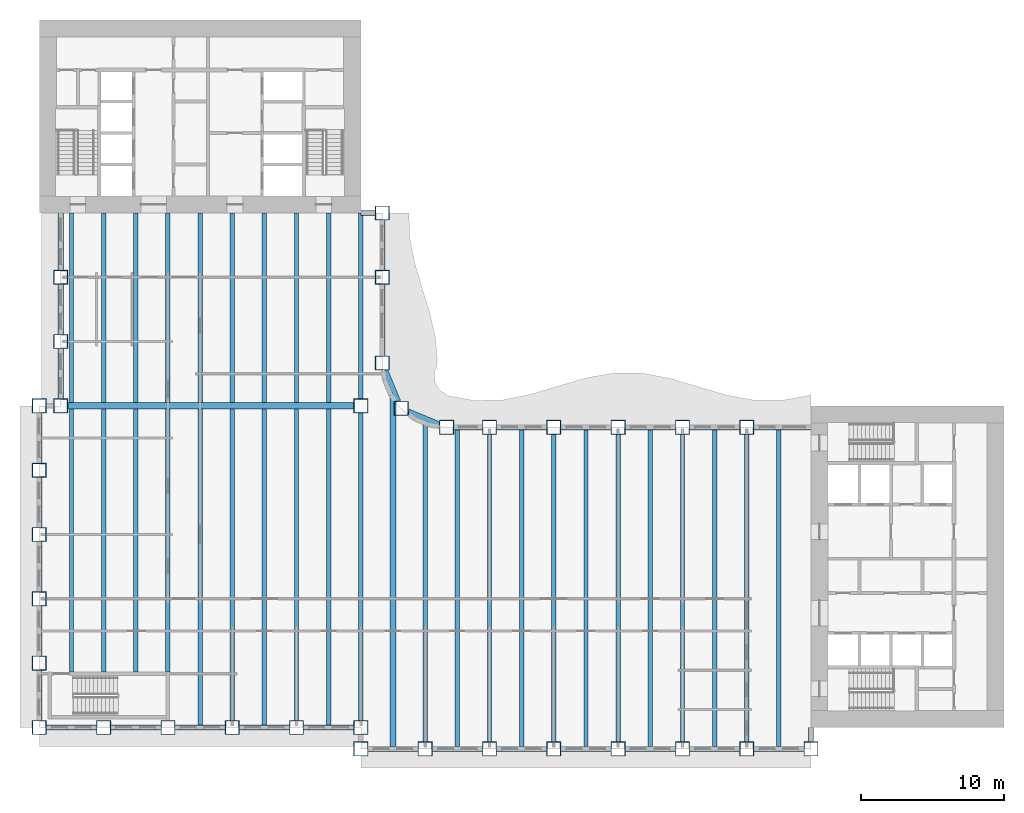
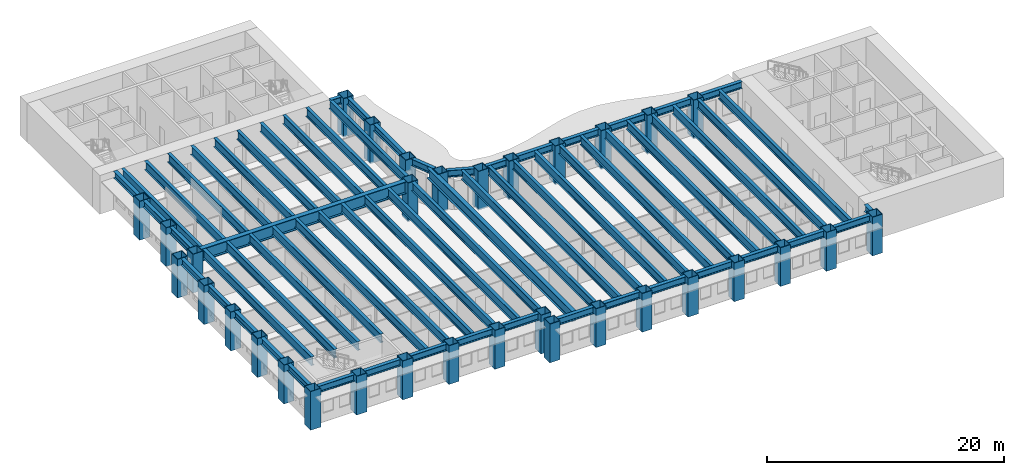
# One storey, part 1 of 16: 66 beams, 33 columns.
"""IFC4 building model written with IfcOpenShell, lengths in metres."""

from ifc_helpers import new_model, si_unit, direction, frame, origin, origin_2d, place, context, subcontext, project, spatial, hollow_rectangle, i_section, extrude, material, material_profile, profile_set, type_object, element, save


model = new_model("IFC4")

# Units and contexts
model_context = context("Model", 3, precision=1e-05, world=origin(), true_north=direction((0.0, 1.0)))
body_context = subcontext(model_context, "Body", "Model", "MODEL_VIEW")
ifc_project = project(units=[si_unit("LENGTHUNIT", "METRE"), si_unit("AREAUNIT", "SQUARE_METRE"), si_unit("VOLUMEUNIT", "CUBIC_METRE"), si_unit("PLANEANGLEUNIT", "RADIAN"), si_unit("MASSUNIT", "GRAM", prefix="KILO")], contexts=[model_context])

# Site, building, storey
site_placement = place(None, origin())
site = spatial("IfcSite", under=ifc_project, at=site_placement, CompositionType="ELEMENT")
building_placement = place(site_placement, origin())
building = spatial("IfcBuilding", under=site, at=building_placement, Name="Sennacour Bend Tower", CompositionType="ELEMENT")
storey_placement = place(building_placement, frame((0.0, 0.0, 103.0)))
storey = spatial("IfcBuildingStorey", under=building, at=storey_placement, Name="L23", CompositionType="ELEMENT", Elevation=103.0)

# Columns
ifc_material_1 = material(Name="Steel ASTM A572 Grade 50", Category="steel")
ifc_material_profile_1 = material_profile(ifc_material_1, hollow_rectangle(XDim=1.0, YDim=1.0, WallThickness=0.050048828125, at=origin_2d()), Name="Steel ASTM A572 Grade 50", Category="steel")
ifc_profile_set_1 = profile_set([ifc_material_profile_1], Name="Steel ASTM A572 Grade 50")
column_type = type_object("IfcColumnType", Name="Box column 1000", PredefinedType="COLUMN", material=ifc_profile_set_1)
for number, where, z_axis, x_axis, name in (
    (1, (0.0, 0.0, -0.14990234375), (0.0, 0.0, 1.0), (1.0, 0.0, 0.0), "Perimeter column C2 L23-001"),
    (2, (0.0, 4.5, -0.14990234375), (0.0, 0.0, 1.0), (1.0, 0.0, 0.0), "Perimeter column C2 L23-002"),
    (3, (0.0, 9.0, -0.14990234375), (0.0, 0.0, 1.0), (1.0, 0.0, 0.0), "Perimeter column C2 L23-003"),
    (4, (0.0, 13.5, -0.14990234375), (0.0, 0.0, 1.0), (1.0, 0.0, 0.0), "Perimeter column C2 L23-004"),
    (5, (0.0, 18.0, -0.14990234375), (0.0, 0.0, 1.0), (1.0, 0.0, 0.0), "Perimeter column C2 L23-005"),
    (6, (0.0, 22.5, -0.14990234375), (0.0, 0.0, 1.0), (1.0, 0.0, 0.0), "Perimeter column C2 L23-006"),
    (7, (1.5, 22.5, -0.14990234375), (0.0, 0.0, 1.0), (1.0, 0.0, 0.0), "Perimeter column C2 L23-007"),
    (8, (1.5, 27.0, -0.14990234375), (0.0, 0.0, 1.0), (1.0, 0.0, 0.0), "Perimeter column C2 L23-008"),
    (9, (1.5, 31.5, -0.14990234375), (0.0, 0.0, 1.0), (1.0, 0.0, 0.0), "Perimeter column C2 L23-009"),
    (10, (4.5, 0.0, -0.14990234375), (0.0, 0.0, 1.0), (1.0, 0.0, 0.0), "Perimeter column C2 L23-010"),
    (11, (9.0, 0.0, -0.14990234375), (0.0, 0.0, 1.0), (1.0, 0.0, 0.0), "Perimeter column C2 L23-011"),
    (12, (13.5, 0.0, -0.14990234375), (0.0, 0.0, 1.0), (1.0, 0.0, 0.0), "Perimeter column C2 L23-012"),
    (13, (18.0, 0.0, -0.14990234375), (0.0, 0.0, 1.0), (1.0, 0.0, 0.0), "Perimeter column C2 L23-013"),
    (14, (22.5, -1.5, -0.14990234375), (0.0, 0.0, 1.0), (1.0, 0.0, 0.0), "Perimeter column C2 L23-014"),
    (15, (22.5, 0.0, -0.14990234375), (0.0, 0.0, 1.0), (1.0, 0.0, 0.0), "Perimeter column C2 L23-015"),
    (16, (22.5, 22.5, -0.14990234375), (0.0, 0.0, 1.0), (1.0, 0.0, 0.0), "Knuckle column C2 L23-016"),
    (17, (24.0, 25.5, -0.14990234375), (0.0, 0.0, 1.0), (1.0, 0.0, 0.0), "Perimeter column C2 L23-017"),
    (18, (24.0, 31.5, -0.14990234375), (0.0, 0.0, 1.0), (1.0, 0.0, 0.0), "Perimeter column C2 L23-018"),
    (19, (24.0, 36.0, -0.14990234375), (0.0, 0.0, 1.0), (1.0, 0.0, 0.0), "Perimeter column C2 L23-019"),
    (20, (25.318115234375, 22.318115234375, -0.14990234375), (0.0, 0.0, 1.0), (1.0, 0.0, 0.0), "Perimeter column C2 L23-020"),
    (21, (27.0, -1.5, -0.14990234375), (0.0, 0.0, 1.0), (1.0, 0.0, 0.0), "Perimeter column C2 L23-021"),
    (22, (28.5, 21.0, -0.14990234375), (0.0, 0.0, 1.0), (1.0, 0.0, 0.0), "Perimeter column C2 L23-022"),
    (23, (31.5, -1.5, -0.14990234375), (0.0, 0.0, 1.0), (1.0, 0.0, 0.0), "Perimeter column C2 L23-023"),
    (24, (31.5, 21.0, -0.14990234375), (0.0, 0.0, 1.0), (1.0, 0.0, 0.0), "Perimeter column C2 L23-024"),
    (25, (36.0, -1.5, -0.14990234375), (0.0, 0.0, 1.0), (1.0, 0.0, 0.0), "Perimeter column C2 L23-025"),
    (26, (36.0, 21.0, -0.14990234375), (0.0, 0.0, 1.0), (1.0, 0.0, 0.0), "Perimeter column C2 L23-026"),
    (27, (40.5, -1.5, -0.14990234375), (0.0, 0.0, 1.0), (1.0, 0.0, 0.0), "Perimeter column C2 L23-027"),
    (28, (40.5, 21.0, -0.14990234375), (0.0, 0.0, 1.0), (1.0, 0.0, 0.0), "Perimeter column C2 L23-028"),
    (29, (45.0, -1.5, -0.14990234375), (0.0, 0.0, 1.0), (1.0, 0.0, 0.0), "Perimeter column C2 L23-029"),
    (30, (45.0, 21.0, -0.14990234375), (0.0, 0.0, 1.0), (1.0, 0.0, 0.0), "Perimeter column C2 L23-030"),
    (31, (49.5, -1.5, -0.14990234375), (0.0, 0.0, 1.0), (1.0, 0.0, 0.0), "Perimeter column C2 L23-031"),
    (32, (49.5, 21.0, -0.14990234375), (0.0, 0.0, 1.0), (1.0, 0.0, 0.0), "Perimeter column C2 L23-032"),
    (33, (54.0, -1.5, -0.14990234375), (0.0, 0.0, 1.0), (1.0, 0.0, 0.0), "Perimeter column C2 L23-033"),
):
    element("IfcColumn", number, at=place(storey_placement, frame(where, z_axis=z_axis, x_axis=x_axis)), inside=storey, type_object=column_type, Name=name, PredefinedType="COLUMN", context=body_context, shape_type="SweptSolid", body=[
        extrude(hollow_rectangle(XDim=1.0, YDim=1.0, WallThickness=0.050048828125, at=origin_2d()), origin(), (0.0, 0.0, 1.0), 4.0),
    ])

# Beams
ifc_material_2 = material(Name="Steel ASTM A992 Grade 50", Category="steel")
ifc_material_profile_2 = material_profile(ifc_material_2, i_section(OverallWidth=0.304931640625, OverallDepth=0.912109375, WebThickness=0.015869140625, FlangeThickness=0.02392578125, FilletRadius=0.01904296875, at=origin_2d()), Name="Steel ASTM A992 Grade 50", Category="steel")
ifc_profile_set_2 = profile_set([ifc_material_profile_2], Name="Steel ASTM A992 Grade 50")
beam_type_1 = type_object("IfcBeamType", Name="Floor beam W920X223", PredefinedType="BEAM", material=ifc_profile_set_2)
beam_1_placement = place(storey_placement, frame((2.25, 3.875, 3.39404296875), z_axis=(0.0, 1.0, 0.0), x_axis=(-1.0, 0.0, 0.0)))
element("IfcBeam", 34, at=beam_1_placement, inside=storey, type_object=beam_type_1, Name="Floor beam FBM1 L24-001", PredefinedType="BEAM", context=body_context, shape_type="SweptSolid", body=[
    extrude(i_section(OverallWidth=0.304931640625, OverallDepth=0.912109375, WebThickness=0.015869140625, FlangeThickness=0.02392578125, FilletRadius=0.01904296875, at=origin_2d()), origin(), (0.0, 0.0, 1.0), 18.39990234375),
])
beam_2_placement = place(storey_placement, frame((2.25, 22.72509765625, 3.39404296875), z_axis=(0.0, 1.0, 0.0), x_axis=(-1.0, 0.0, 0.0)))
element("IfcBeam", 35, at=beam_2_placement, inside=storey, type_object=beam_type_1, Name="Floor beam FBM1 L24-002", PredefinedType="BEAM", context=body_context, shape_type="SweptSolid", body=[
    extrude(i_section(OverallWidth=0.304931640625, OverallDepth=0.912109375, WebThickness=0.015869140625, FlangeThickness=0.02392578125, FilletRadius=0.01904296875, at=origin_2d()), origin(), (0.0, 0.0, 1.0), 13.27490234375),
])
beam_3_placement = place(storey_placement, frame((4.5, 3.875, 3.39404296875), z_axis=(0.0, 1.0, 0.0), x_axis=(-1.0, 0.0, 0.0)))
element("IfcBeam", 36, at=beam_3_placement, inside=storey, type_object=beam_type_1, Name="Floor beam FBM1 L24-003", PredefinedType="BEAM", context=body_context, shape_type="SweptSolid", body=[
    extrude(i_section(OverallWidth=0.304931640625, OverallDepth=0.912109375, WebThickness=0.015869140625, FlangeThickness=0.02392578125, FilletRadius=0.01904296875, at=origin_2d()), origin(), (0.0, 0.0, 1.0), 18.39990234375),
])
beam_4_placement = place(storey_placement, frame((4.5, 22.72509765625, 3.39404296875), z_axis=(0.0, 1.0, 0.0), x_axis=(-1.0, 0.0, 0.0)))
element("IfcBeam", 37, at=beam_4_placement, inside=storey, type_object=beam_type_1, Name="Floor beam FBM1 L24-004", PredefinedType="BEAM", context=body_context, shape_type="SweptSolid", body=[
    extrude(i_section(OverallWidth=0.304931640625, OverallDepth=0.912109375, WebThickness=0.015869140625, FlangeThickness=0.02392578125, FilletRadius=0.01904296875, at=origin_2d()), origin(), (0.0, 0.0, 1.0), 13.27490234375),
])
beam_5_placement = place(storey_placement, frame((6.75, 3.875, 3.39404296875), z_axis=(0.0, 1.0, 0.0), x_axis=(-1.0, 0.0, 0.0)))
element("IfcBeam", 38, at=beam_5_placement, inside=storey, type_object=beam_type_1, Name="Floor beam FBM1 L24-005", PredefinedType="BEAM", context=body_context, shape_type="SweptSolid", body=[
    extrude(i_section(OverallWidth=0.304931640625, OverallDepth=0.912109375, WebThickness=0.015869140625, FlangeThickness=0.02392578125, FilletRadius=0.01904296875, at=origin_2d()), origin(), (0.0, 0.0, 1.0), 18.39990234375),
])
beam_6_placement = place(storey_placement, frame((6.75, 22.72509765625, 3.39404296875), z_axis=(0.0, 1.0, 0.0), x_axis=(-1.0, 0.0, 0.0)))
element("IfcBeam", 39, at=beam_6_placement, inside=storey, type_object=beam_type_1, Name="Floor beam FBM1 L24-006", PredefinedType="BEAM", context=body_context, shape_type="SweptSolid", body=[
    extrude(i_section(OverallWidth=0.304931640625, OverallDepth=0.912109375, WebThickness=0.015869140625, FlangeThickness=0.02392578125, FilletRadius=0.01904296875, at=origin_2d()), origin(), (0.0, 0.0, 1.0), 13.27490234375),
])
beam_7_placement = place(storey_placement, frame((9.0, 3.875, 3.39404296875), z_axis=(0.0, 1.0, 0.0), x_axis=(-1.0, 0.0, 0.0)))
element("IfcBeam", 40, at=beam_7_placement, inside=storey, type_object=beam_type_1, Name="Floor beam FBM1 L24-007", PredefinedType="BEAM", context=body_context, shape_type="SweptSolid", body=[
    extrude(i_section(OverallWidth=0.304931640625, OverallDepth=0.912109375, WebThickness=0.015869140625, FlangeThickness=0.02392578125, FilletRadius=0.01904296875, at=origin_2d()), origin(), (0.0, 0.0, 1.0), 18.39990234375),
])
beam_8_placement = place(storey_placement, frame((9.0, 22.72509765625, 3.39404296875), z_axis=(0.0, 1.0, 0.0), x_axis=(-1.0, 0.0, 0.0)))
element("IfcBeam", 41, at=beam_8_placement, inside=storey, type_object=beam_type_1, Name="Floor beam FBM1 L24-008", PredefinedType="BEAM", context=body_context, shape_type="SweptSolid", body=[
    extrude(i_section(OverallWidth=0.304931640625, OverallDepth=0.912109375, WebThickness=0.015869140625, FlangeThickness=0.02392578125, FilletRadius=0.01904296875, at=origin_2d()), origin(), (0.0, 0.0, 1.0), 13.27490234375),
])
beam_9_placement = place(storey_placement, frame((11.25, 0.177978515625, 3.39404296875), z_axis=(0.0, 1.0, 0.0), x_axis=(-1.0, 0.0, 0.0)))
element("IfcBeam", 42, at=beam_9_placement, inside=storey, type_object=beam_type_1, Name="Floor beam FBM1 L24-009", PredefinedType="BEAM", context=body_context, shape_type="SweptSolid", body=[
    extrude(i_section(OverallWidth=0.304931640625, OverallDepth=0.912109375, WebThickness=0.015869140625, FlangeThickness=0.02392578125, FilletRadius=0.01904296875, at=origin_2d()), origin(), (0.0, 0.0, 1.0), 22.096923828125),
])
beam_10_placement = place(storey_placement, frame((11.25, 22.72509765625, 3.39404296875), z_axis=(0.0, 1.0, 0.0), x_axis=(-1.0, 0.0, 0.0)))
element("IfcBeam", 43, at=beam_10_placement, inside=storey, type_object=beam_type_1, Name="Floor beam FBM1 L24-010", PredefinedType="BEAM", context=body_context, shape_type="SweptSolid", body=[
    extrude(i_section(OverallWidth=0.304931640625, OverallDepth=0.912109375, WebThickness=0.015869140625, FlangeThickness=0.02392578125, FilletRadius=0.01904296875, at=origin_2d()), origin(), (0.0, 0.0, 1.0), 13.27490234375),
])
beam_11_placement = place(storey_placement, frame((13.5, 0.5, 3.39404296875), z_axis=(0.0, 1.0, 0.0), x_axis=(-1.0, 0.0, 0.0)))
element("IfcBeam", 44, at=beam_11_placement, inside=storey, type_object=beam_type_1, Name="Floor beam FBM1 L24-011", PredefinedType="BEAM", context=body_context, shape_type="SweptSolid", body=[
    extrude(i_section(OverallWidth=0.304931640625, OverallDepth=0.912109375, WebThickness=0.015869140625, FlangeThickness=0.02392578125, FilletRadius=0.01904296875, at=origin_2d()), origin(), (0.0, 0.0, 1.0), 21.77490234375),
])
beam_12_placement = place(storey_placement, frame((13.5, 22.72509765625, 3.39404296875), z_axis=(0.0, 1.0, 0.0), x_axis=(-1.0, 0.0, 0.0)))
element("IfcBeam", 45, at=beam_12_placement, inside=storey, type_object=beam_type_1, Name="Floor beam FBM1 L24-012", PredefinedType="BEAM", context=body_context, shape_type="SweptSolid", body=[
    extrude(i_section(OverallWidth=0.304931640625, OverallDepth=0.912109375, WebThickness=0.015869140625, FlangeThickness=0.02392578125, FilletRadius=0.01904296875, at=origin_2d()), origin(), (0.0, 0.0, 1.0), 13.27490234375),
])
beam_13_placement = place(storey_placement, frame((15.75, 0.177978515625, 3.39404296875), z_axis=(0.0, 1.0, 0.0), x_axis=(-1.0, 0.0, 0.0)))
element("IfcBeam", 46, at=beam_13_placement, inside=storey, type_object=beam_type_1, Name="Floor beam FBM1 L24-013", PredefinedType="BEAM", context=body_context, shape_type="SweptSolid", body=[
    extrude(i_section(OverallWidth=0.304931640625, OverallDepth=0.912109375, WebThickness=0.015869140625, FlangeThickness=0.02392578125, FilletRadius=0.01904296875, at=origin_2d()), origin(), (0.0, 0.0, 1.0), 22.096923828125),
])
beam_14_placement = place(storey_placement, frame((15.75, 22.72509765625, 3.39404296875), z_axis=(0.0, 1.0, 0.0), x_axis=(-1.0, 0.0, 0.0)))
element("IfcBeam", 47, at=beam_14_placement, inside=storey, type_object=beam_type_1, Name="Floor beam FBM1 L24-014", PredefinedType="BEAM", context=body_context, shape_type="SweptSolid", body=[
    extrude(i_section(OverallWidth=0.304931640625, OverallDepth=0.912109375, WebThickness=0.015869140625, FlangeThickness=0.02392578125, FilletRadius=0.01904296875, at=origin_2d()), origin(), (0.0, 0.0, 1.0), 13.27490234375),
])
beam_15_placement = place(storey_placement, frame((18.0, 0.5, 3.39404296875), z_axis=(0.0, 1.0, 0.0), x_axis=(-1.0, 0.0, 0.0)))
element("IfcBeam", 48, at=beam_15_placement, inside=storey, type_object=beam_type_1, Name="Floor beam FBM1 L24-015", PredefinedType="BEAM", context=body_context, shape_type="SweptSolid", body=[
    extrude(i_section(OverallWidth=0.304931640625, OverallDepth=0.912109375, WebThickness=0.015869140625, FlangeThickness=0.02392578125, FilletRadius=0.01904296875, at=origin_2d()), origin(), (0.0, 0.0, 1.0), 21.77490234375),
])
beam_16_placement = place(storey_placement, frame((18.0, 22.72509765625, 3.39404296875), z_axis=(0.0, 1.0, 0.0), x_axis=(-1.0, 0.0, 0.0)))
element("IfcBeam", 49, at=beam_16_placement, inside=storey, type_object=beam_type_1, Name="Floor beam FBM1 L24-016", PredefinedType="BEAM", context=body_context, shape_type="SweptSolid", body=[
    extrude(i_section(OverallWidth=0.304931640625, OverallDepth=0.912109375, WebThickness=0.015869140625, FlangeThickness=0.02392578125, FilletRadius=0.01904296875, at=origin_2d()), origin(), (0.0, 0.0, 1.0), 13.27490234375),
])
beam_17_placement = place(storey_placement, frame((20.25, 0.177978515625, 3.39404296875), z_axis=(0.0, 1.0, 0.0), x_axis=(-1.0, 0.0, 0.0)))
element("IfcBeam", 50, at=beam_17_placement, inside=storey, type_object=beam_type_1, Name="Floor beam FBM1 L24-017", PredefinedType="BEAM", context=body_context, shape_type="SweptSolid", body=[
    extrude(i_section(OverallWidth=0.304931640625, OverallDepth=0.912109375, WebThickness=0.015869140625, FlangeThickness=0.02392578125, FilletRadius=0.01904296875, at=origin_2d()), origin(), (0.0, 0.0, 1.0), 22.096923828125),
])
beam_18_placement = place(storey_placement, frame((20.25, 22.72509765625, 3.39404296875), z_axis=(0.0, 1.0, 0.0), x_axis=(-1.0, 0.0, 0.0)))
element("IfcBeam", 51, at=beam_18_placement, inside=storey, type_object=beam_type_1, Name="Floor beam FBM1 L24-018", PredefinedType="BEAM", context=body_context, shape_type="SweptSolid", body=[
    extrude(i_section(OverallWidth=0.304931640625, OverallDepth=0.912109375, WebThickness=0.015869140625, FlangeThickness=0.02392578125, FilletRadius=0.01904296875, at=origin_2d()), origin(), (0.0, 0.0, 1.0), 13.27490234375),
])
beam_19_placement = place(storey_placement, frame((22.5, 0.5, 3.39404296875), z_axis=(0.0, 1.0, 0.0), x_axis=(-1.0, 0.0, 0.0)))
element("IfcBeam", 52, at=beam_19_placement, inside=storey, type_object=beam_type_1, Name="Floor beam FBM1 L24-019", PredefinedType="BEAM", context=body_context, shape_type="SweptSolid", body=[
    extrude(i_section(OverallWidth=0.304931640625, OverallDepth=0.912109375, WebThickness=0.015869140625, FlangeThickness=0.02392578125, FilletRadius=0.01904296875, at=origin_2d()), origin(), (0.0, 0.0, 1.0), 21.5),
])
beam_20_placement = place(storey_placement, frame((22.5, 23.0, 3.39404296875), z_axis=(0.0, 1.0, 0.0), x_axis=(-1.0, 0.0, 0.0)))
element("IfcBeam", 53, at=beam_20_placement, inside=storey, type_object=beam_type_1, Name="Floor beam FBM1 L24-020", PredefinedType="BEAM", context=body_context, shape_type="SweptSolid", body=[
    extrude(i_section(OverallWidth=0.304931640625, OverallDepth=0.912109375, WebThickness=0.015869140625, FlangeThickness=0.02392578125, FilletRadius=0.01904296875, at=origin_2d()), origin(), (0.0, 0.0, 1.0), 13.0),
])
beam_21_placement = place(storey_placement, frame((27.0, -1.0, 3.39404296875), z_axis=(0.0, 1.0, 0.0), x_axis=(-1.0, 0.0, 0.0)))
element("IfcBeam", 54, at=beam_21_placement, inside=storey, type_object=beam_type_1, Name="Floor beam FBM1 L24-022", PredefinedType="BEAM", context=body_context, shape_type="SweptSolid", body=[
    extrude(i_section(OverallWidth=0.304931640625, OverallDepth=0.912109375, WebThickness=0.015869140625, FlangeThickness=0.02392578125, FilletRadius=0.01904296875, at=origin_2d()), origin(), (0.0, 0.0, 1.0), 22.4287109375),
])
beam_22_placement = place(storey_placement, frame((29.25, -1.322021484375, 3.39404296875), z_axis=(0.0, 1.0, 0.0), x_axis=(-1.0, 0.0, 0.0)))
element("IfcBeam", 55, at=beam_22_placement, inside=storey, type_object=beam_type_1, Name="Floor beam FBM1 L24-023", PredefinedType="BEAM", context=body_context, shape_type="SweptSolid", body=[
    extrude(i_section(OverallWidth=0.304931640625, OverallDepth=0.912109375, WebThickness=0.015869140625, FlangeThickness=0.02392578125, FilletRadius=0.01904296875, at=origin_2d()), origin(), (0.0, 0.0, 1.0), 22.14404296875),
])
beam_23_placement = place(storey_placement, frame((31.5, -1.0, 3.39404296875), z_axis=(0.0, 1.0, 0.0), x_axis=(-1.0, 0.0, 0.0)))
element("IfcBeam", 56, at=beam_23_placement, inside=storey, type_object=beam_type_1, Name="Floor beam FBM1 L24-024", PredefinedType="BEAM", context=body_context, shape_type="SweptSolid", body=[
    extrude(i_section(OverallWidth=0.304931640625, OverallDepth=0.912109375, WebThickness=0.015869140625, FlangeThickness=0.02392578125, FilletRadius=0.01904296875, at=origin_2d()), origin(), (0.0, 0.0, 1.0), 21.5),
])
beam_24_placement = place(storey_placement, frame((33.75, -1.322021484375, 3.39404296875), z_axis=(0.0, 1.0, 0.0), x_axis=(-1.0, 0.0, 0.0)))
element("IfcBeam", 57, at=beam_24_placement, inside=storey, type_object=beam_type_1, Name="Floor beam FBM1 L24-025", PredefinedType="BEAM", context=body_context, shape_type="SweptSolid", body=[
    extrude(i_section(OverallWidth=0.304931640625, OverallDepth=0.912109375, WebThickness=0.015869140625, FlangeThickness=0.02392578125, FilletRadius=0.01904296875, at=origin_2d()), origin(), (0.0, 0.0, 1.0), 22.14404296875),
])
beam_25_placement = place(storey_placement, frame((36.0, -1.0, 3.39404296875), z_axis=(0.0, 1.0, 0.0), x_axis=(-1.0, 0.0, 0.0)))
element("IfcBeam", 58, at=beam_25_placement, inside=storey, type_object=beam_type_1, Name="Floor beam FBM1 L24-026", PredefinedType="BEAM", context=body_context, shape_type="SweptSolid", body=[
    extrude(i_section(OverallWidth=0.304931640625, OverallDepth=0.912109375, WebThickness=0.015869140625, FlangeThickness=0.02392578125, FilletRadius=0.01904296875, at=origin_2d()), origin(), (0.0, 0.0, 1.0), 21.5),
])
beam_26_placement = place(storey_placement, frame((38.25, -1.322021484375, 3.39404296875), z_axis=(0.0, 1.0, 0.0), x_axis=(-1.0, 0.0, 0.0)))
element("IfcBeam", 59, at=beam_26_placement, inside=storey, type_object=beam_type_1, Name="Floor beam FBM1 L24-027", PredefinedType="BEAM", context=body_context, shape_type="SweptSolid", body=[
    extrude(i_section(OverallWidth=0.304931640625, OverallDepth=0.912109375, WebThickness=0.015869140625, FlangeThickness=0.02392578125, FilletRadius=0.01904296875, at=origin_2d()), origin(), (0.0, 0.0, 1.0), 22.14404296875),
])
beam_27_placement = place(storey_placement, frame((40.5, -1.0, 3.39404296875), z_axis=(0.0, 1.0, 0.0), x_axis=(-1.0, 0.0, 0.0)))
element("IfcBeam", 60, at=beam_27_placement, inside=storey, type_object=beam_type_1, Name="Floor beam FBM1 L24-028", PredefinedType="BEAM", context=body_context, shape_type="SweptSolid", body=[
    extrude(i_section(OverallWidth=0.304931640625, OverallDepth=0.912109375, WebThickness=0.015869140625, FlangeThickness=0.02392578125, FilletRadius=0.01904296875, at=origin_2d()), origin(), (0.0, 0.0, 1.0), 21.5),
])
beam_28_placement = place(storey_placement, frame((42.75, -1.322021484375, 3.39404296875), z_axis=(0.0, 1.0, 0.0), x_axis=(-1.0, 0.0, 0.0)))
element("IfcBeam", 61, at=beam_28_placement, inside=storey, type_object=beam_type_1, Name="Floor beam FBM1 L24-029", PredefinedType="BEAM", context=body_context, shape_type="SweptSolid", body=[
    extrude(i_section(OverallWidth=0.304931640625, OverallDepth=0.912109375, WebThickness=0.015869140625, FlangeThickness=0.02392578125, FilletRadius=0.01904296875, at=origin_2d()), origin(), (0.0, 0.0, 1.0), 22.14404296875),
])
beam_29_placement = place(storey_placement, frame((45.0, -1.0, 3.39404296875), z_axis=(0.0, 1.0, 0.0), x_axis=(-1.0, 0.0, 0.0)))
element("IfcBeam", 62, at=beam_29_placement, inside=storey, type_object=beam_type_1, Name="Floor beam FBM1 L24-030", PredefinedType="BEAM", context=body_context, shape_type="SweptSolid", body=[
    extrude(i_section(OverallWidth=0.304931640625, OverallDepth=0.912109375, WebThickness=0.015869140625, FlangeThickness=0.02392578125, FilletRadius=0.01904296875, at=origin_2d()), origin(), (0.0, 0.0, 1.0), 21.5),
])
beam_30_placement = place(storey_placement, frame((47.25, -1.322021484375, 3.39404296875), z_axis=(0.0, 1.0, 0.0), x_axis=(-1.0, 0.0, 0.0)))
element("IfcBeam", 63, at=beam_30_placement, inside=storey, type_object=beam_type_1, Name="Floor beam FBM1 L24-031", PredefinedType="BEAM", context=body_context, shape_type="SweptSolid", body=[
    extrude(i_section(OverallWidth=0.304931640625, OverallDepth=0.912109375, WebThickness=0.015869140625, FlangeThickness=0.02392578125, FilletRadius=0.01904296875, at=origin_2d()), origin(), (0.0, 0.0, 1.0), 22.14404296875),
])
beam_31_placement = place(storey_placement, frame((49.5, -1.0, 3.39404296875), z_axis=(0.0, 1.0, 0.0), x_axis=(-1.0, 0.0, 0.0)))
element("IfcBeam", 64, at=beam_31_placement, inside=storey, type_object=beam_type_1, Name="Floor beam FBM1 L24-032", PredefinedType="BEAM", context=body_context, shape_type="SweptSolid", body=[
    extrude(i_section(OverallWidth=0.304931640625, OverallDepth=0.912109375, WebThickness=0.015869140625, FlangeThickness=0.02392578125, FilletRadius=0.01904296875, at=origin_2d()), origin(), (0.0, 0.0, 1.0), 21.5),
])
beam_32_placement = place(storey_placement, frame((51.75, -1.322021484375, 3.39404296875), z_axis=(0.0, 1.0, 0.0), x_axis=(-1.0, 0.0, 0.0)))
element("IfcBeam", 65, at=beam_32_placement, inside=storey, type_object=beam_type_1, Name="Floor beam FBM1 L24-033", PredefinedType="BEAM", context=body_context, shape_type="SweptSolid", body=[
    extrude(i_section(OverallWidth=0.304931640625, OverallDepth=0.912109375, WebThickness=0.015869140625, FlangeThickness=0.02392578125, FilletRadius=0.01904296875, at=origin_2d()), origin(), (0.0, 0.0, 1.0), 22.14404296875),
])
ifc_material_profile_3 = material_profile(ifc_material_1, i_section(OverallWidth=0.449951171875, OverallDepth=1.25, WebThickness=0.028076171875, FlangeThickness=0.050048828125, at=origin_2d()), Name="Steel ASTM A572 Grade 50", Category="steel")
ifc_profile_set_3 = profile_set([ifc_material_profile_3], Name="Steel ASTM A572 Grade 50")
beam_type_2 = type_object("IfcBeamType", Name="Knuckle girder 1250", PredefinedType="USERDEFINED", material=ifc_profile_set_3)
beam_33_placement = place(storey_placement, frame((2.0, 22.5, 3.22509765625), z_axis=(1.0, 0.0, 0.0), x_axis=(0.0, 1.0, 0.0)))
element("IfcBeam", 66, at=beam_33_placement, inside=storey, type_object=beam_type_2, Name="Knuckle girder GK L24-001", ObjectType="KNUCKLE GIRDER", PredefinedType="USERDEFINED", context=body_context, shape_type="SweptSolid", body=[
    extrude(i_section(OverallWidth=0.449951171875, OverallDepth=1.25, WebThickness=0.028076171875, FlangeThickness=0.050048828125, at=origin_2d()), origin(), (0.0, 0.0, 1.0), 20.0),
])
ifc_material_profile_4 = material_profile(ifc_material_2, i_section(OverallWidth=0.40087890625, OverallDepth=1.090087890625, WebThickness=0.01806640625, FlangeThickness=0.031005859375, FilletRadius=0.02001953125, at=origin_2d()), Name="Steel ASTM A992 Grade 50", Category="steel")
ifc_profile_set_4 = profile_set([ifc_material_profile_4], Name="Steel ASTM A992 Grade 50")
beam_type_3 = type_object("IfcBeamType", Name="Notch floor beam W1100X343", PredefinedType="BEAM", material=ifc_profile_set_4)
beam_34_placement = place(storey_placement, frame((24.75, -1.322021484375, 3.304931640625), z_axis=(0.0, 1.0, 0.0), x_axis=(-1.0, 0.0, 0.0)))
element("IfcBeam", 67, at=beam_34_placement, inside=storey, type_object=beam_type_3, Name="Floor beam FBM4 L24-021", PredefinedType="BEAM", context=body_context, shape_type="SweptSolid", body=[
    extrude(i_section(OverallWidth=0.40087890625, OverallDepth=1.090087890625, WebThickness=0.01806640625, FlangeThickness=0.031005859375, FilletRadius=0.02001953125, at=origin_2d()), origin(), (0.0, 0.0, 1.0), 24.546142578125),
])
ifc_material_profile_5 = material_profile(ifc_material_2, i_section(OverallWidth=0.35595703125, OverallDepth=0.696044921875, WebThickness=0.015380859375, FlangeThickness=0.02490234375, FilletRadius=0.02001953125, at=origin_2d()), Name="Steel ASTM A992 Grade 50", Category="steel")
ifc_profile_set_5 = profile_set([ifc_material_profile_5], Name="Steel ASTM A992 Grade 50")
beam_type_4 = type_object("IfcBeamType", Name="Spandrel beam W690X217", PredefinedType="SPANDREL", material=ifc_profile_set_5)
for number, where, z_axis, x_axis, name in (
    (68, (22.0, 0.0, 3.501953125), (-1.0, 0.0, 0.0), (0.0, -1.0, 0.0), "Spandrel beam SP3 L24-001"),
    (69, (17.5, 0.0, 3.501953125), (-1.0, 0.0, 0.0), (0.0, -1.0, 0.0), "Spandrel beam SP3 L24-002"),
    (70, (13.0, 0.0, 3.501953125), (-1.0, 0.0, 0.0), (0.0, -1.0, 0.0), "Spandrel beam SP3 L24-003"),
    (71, (8.5, 0.0, 3.501953125), (-1.0, 0.0, 0.0), (0.0, -1.0, 0.0), "Spandrel beam SP3 L24-004"),
    (72, (4.0, 0.0, 3.501953125), (-1.0, 0.0, 0.0), (0.0, -1.0, 0.0), "Spandrel beam SP3 L24-005"),
    (73, (0.0, 0.5, 3.501953125), (0.0, 1.0, 0.0), (-1.0, 0.0, 0.0), "Spandrel beam SP3 L24-006"),
    (74, (0.0, 5.0, 3.501953125), (0.0, 1.0, 0.0), (-1.0, 0.0, 0.0), "Spandrel beam SP3 L24-007"),
    (75, (0.0, 9.5, 3.501953125), (0.0, 1.0, 0.0), (-1.0, 0.0, 0.0), "Spandrel beam SP3 L24-008"),
    (76, (0.0, 14.0, 3.501953125), (0.0, 1.0, 0.0), (-1.0, 0.0, 0.0), "Spandrel beam SP3 L24-009"),
    (77, (0.0, 18.5, 3.501953125), (0.0, 1.0, 0.0), (-1.0, 0.0, 0.0), "Spandrel beam SP3 L24-010"),
    (78, (1.5, 23.0, 3.501953125), (0.0, 1.0, 0.0), (-1.0, 0.0, 0.0), "Spandrel beam SP3 L24-011"),
    (79, (1.5, 27.5, 3.501953125), (0.0, 1.0, 0.0), (-1.0, 0.0, 0.0), "Spandrel beam SP3 L24-012"),
):
    element("IfcBeam", number, at=place(storey_placement, frame(where, z_axis=z_axis, x_axis=x_axis)), inside=storey, type_object=beam_type_4, Name=name, PredefinedType="SPANDREL", context=body_context, shape_type="SweptSolid", body=[
        extrude(i_section(OverallWidth=0.35595703125, OverallDepth=0.696044921875, WebThickness=0.015380859375, FlangeThickness=0.02490234375, FilletRadius=0.02001953125, at=origin_2d()), origin(), (0.0, 0.0, 1.0), 3.5),
    ])
beam_35_placement = place(storey_placement, frame((1.5, 32.0, 3.501953125), z_axis=(0.0, 1.0, 0.0), x_axis=(-1.0, 0.0, 0.0)))
element("IfcBeam", 80, at=beam_35_placement, inside=storey, type_object=beam_type_4, Name="Spandrel beam SP3 L24-013", PredefinedType="SPANDREL", context=body_context, shape_type="SweptSolid", body=[
    extrude(i_section(OverallWidth=0.35595703125, OverallDepth=0.696044921875, WebThickness=0.015380859375, FlangeThickness=0.02490234375, FilletRadius=0.02001953125, at=origin_2d()), origin(), (0.0, 0.0, 1.0), 4.0),
])
beam_36_placement = place(storey_placement, frame((22.5, 36.0, 3.501953125), z_axis=(1.0, 0.0, 0.0), x_axis=(0.0, 1.0, 0.0)))
element("IfcBeam", 81, at=beam_36_placement, inside=storey, type_object=beam_type_4, Name="Spandrel beam SP3 L24-014", PredefinedType="SPANDREL", context=body_context, shape_type="SweptSolid", body=[
    extrude(i_section(OverallWidth=0.35595703125, OverallDepth=0.696044921875, WebThickness=0.015380859375, FlangeThickness=0.02490234375, FilletRadius=0.02001953125, at=origin_2d()), origin(), (0.0, 0.0, 1.0), 1.0),
])
beam_37_placement = place(storey_placement, frame((24.0, 35.5, 3.501953125), z_axis=(0.0, -1.0, 0.0), x_axis=(1.0, 0.0, 0.0)))
element("IfcBeam", 82, at=beam_37_placement, inside=storey, type_object=beam_type_4, Name="Spandrel beam SP3 L24-015", PredefinedType="SPANDREL", context=body_context, shape_type="SweptSolid", body=[
    extrude(i_section(OverallWidth=0.35595703125, OverallDepth=0.696044921875, WebThickness=0.015380859375, FlangeThickness=0.02490234375, FilletRadius=0.02001953125, at=origin_2d()), origin(), (0.0, 0.0, 1.0), 3.5),
])
beam_38_placement = place(storey_placement, frame((24.0, 31.0, 3.501953125), z_axis=(0.0, -1.0, 0.0), x_axis=(1.0, 0.0, 0.0)))
element("IfcBeam", 83, at=beam_38_placement, inside=storey, type_object=beam_type_4, Name="Spandrel beam SP3 L24-016", PredefinedType="SPANDREL", context=body_context, shape_type="SweptSolid", body=[
    extrude(i_section(OverallWidth=0.35595703125, OverallDepth=0.696044921875, WebThickness=0.015380859375, FlangeThickness=0.02490234375, FilletRadius=0.02001953125, at=origin_2d()), origin(), (0.0, 0.0, 1.0), 5.0),
])
for number, where, z_axis, x_axis, name in (
    (84, (24.20703125, 25.0, 3.501953125), (0.382698732017, -0.92387319504, 0.0), (0.92387319504, 0.382698732017, 0.0), "Spandrel beam SP3 L24-017"),
    (85, (25.818115234375, 22.11083984375, 3.501953125), (0.92387319504, -0.382698732017, 0.0), (0.382698732017, 0.92387319504, 0.0), "Spandrel beam SP3 L24-018"),
):
    element("IfcBeam", number, at=place(storey_placement, frame(where, z_axis=z_axis, x_axis=x_axis)), inside=storey, type_object=beam_type_4, Name=name, PredefinedType="SPANDREL", context=body_context, shape_type="SweptSolid", body=[
        extrude(i_section(OverallWidth=0.35595703125, OverallDepth=0.696044921875, WebThickness=0.015380859375, FlangeThickness=0.02490234375, FilletRadius=0.02001953125, at=origin_2d()), origin(), (0.0, 0.0, 1.0), 2.361572265625),
    ])
beam_39_placement = place(storey_placement, frame((29.0, 21.0, 3.501953125), z_axis=(1.0, 0.0, 0.0), x_axis=(0.0, 1.0, 0.0)))
element("IfcBeam", 86, at=beam_39_placement, inside=storey, type_object=beam_type_4, Name="Spandrel beam SP3 L24-019", PredefinedType="SPANDREL", context=body_context, shape_type="SweptSolid", body=[
    extrude(i_section(OverallWidth=0.35595703125, OverallDepth=0.696044921875, WebThickness=0.015380859375, FlangeThickness=0.02490234375, FilletRadius=0.02001953125, at=origin_2d()), origin(), (0.0, 0.0, 1.0), 2.0),
])
for number, where, z_axis, x_axis, name in (
    (87, (32.0, 21.0, 3.501953125), (1.0, 0.0, 0.0), (0.0, 1.0, 0.0), "Spandrel beam SP3 L24-020"),
    (88, (36.5, 21.0, 3.501953125), (1.0, 0.0, 0.0), (0.0, 1.0, 0.0), "Spandrel beam SP3 L24-021"),
    (89, (41.0, 21.0, 3.501953125), (1.0, 0.0, 0.0), (0.0, 1.0, 0.0), "Spandrel beam SP3 L24-022"),
    (90, (45.5, 21.0, 3.501953125), (1.0, 0.0, 0.0), (0.0, 1.0, 0.0), "Spandrel beam SP3 L24-023"),
):
    element("IfcBeam", number, at=place(storey_placement, frame(where, z_axis=z_axis, x_axis=x_axis)), inside=storey, type_object=beam_type_4, Name=name, PredefinedType="SPANDREL", context=body_context, shape_type="SweptSolid", body=[
        extrude(i_section(OverallWidth=0.35595703125, OverallDepth=0.696044921875, WebThickness=0.015380859375, FlangeThickness=0.02490234375, FilletRadius=0.02001953125, at=origin_2d()), origin(), (0.0, 0.0, 1.0), 3.5),
    ])
beam_40_placement = place(storey_placement, frame((50.0, 21.0, 3.501953125), z_axis=(1.0, 0.0, 0.0), x_axis=(0.0, 1.0, 0.0)))
element("IfcBeam", 91, at=beam_40_placement, inside=storey, type_object=beam_type_4, Name="Spandrel beam SP3 L24-024", PredefinedType="SPANDREL", context=body_context, shape_type="SweptSolid", body=[
    extrude(i_section(OverallWidth=0.35595703125, OverallDepth=0.696044921875, WebThickness=0.015380859375, FlangeThickness=0.02490234375, FilletRadius=0.02001953125, at=origin_2d()), origin(), (0.0, 0.0, 1.0), 4.0),
])
beam_41_placement = place(storey_placement, frame((54.0, 0.0, 3.501953125), z_axis=(0.0, -1.0, 0.0), x_axis=(1.0, 0.0, 0.0)))
element("IfcBeam", 92, at=beam_41_placement, inside=storey, type_object=beam_type_4, Name="Spandrel beam SP3 L24-025", PredefinedType="SPANDREL", context=body_context, shape_type="SweptSolid", body=[
    extrude(i_section(OverallWidth=0.35595703125, OverallDepth=0.696044921875, WebThickness=0.015380859375, FlangeThickness=0.02490234375, FilletRadius=0.02001953125, at=origin_2d()), origin(), (0.0, 0.0, 1.0), 1.0),
])
for number, where, z_axis, x_axis, name in (
    (93, (53.5, -1.5, 3.501953125), (-1.0, 0.0, 0.0), (0.0, -1.0, 0.0), "Spandrel beam SP3 L24-026"),
    (94, (49.0, -1.5, 3.501953125), (-1.0, 0.0, 0.0), (0.0, -1.0, 0.0), "Spandrel beam SP3 L24-027"),
    (95, (44.5, -1.5, 3.501953125), (-1.0, 0.0, 0.0), (0.0, -1.0, 0.0), "Spandrel beam SP3 L24-028"),
    (96, (40.0, -1.5, 3.501953125), (-1.0, 0.0, 0.0), (0.0, -1.0, 0.0), "Spandrel beam SP3 L24-029"),
    (97, (35.5, -1.5, 3.501953125), (-1.0, 0.0, 0.0), (0.0, -1.0, 0.0), "Spandrel beam SP3 L24-030"),
    (98, (31.0, -1.5, 3.501953125), (-1.0, 0.0, 0.0), (0.0, -1.0, 0.0), "Spandrel beam SP3 L24-031"),
    (99, (26.5, -1.5, 3.501953125), (-1.0, 0.0, 0.0), (0.0, -1.0, 0.0), "Spandrel beam SP3 L24-032"),
):
    element("IfcBeam", number, at=place(storey_placement, frame(where, z_axis=z_axis, x_axis=x_axis)), inside=storey, type_object=beam_type_4, Name=name, PredefinedType="SPANDREL", context=body_context, shape_type="SweptSolid", body=[
        extrude(i_section(OverallWidth=0.35595703125, OverallDepth=0.696044921875, WebThickness=0.015380859375, FlangeThickness=0.02490234375, FilletRadius=0.02001953125, at=origin_2d()), origin(), (0.0, 0.0, 1.0), 3.5),
    ])

save(model, "model.ifc")
